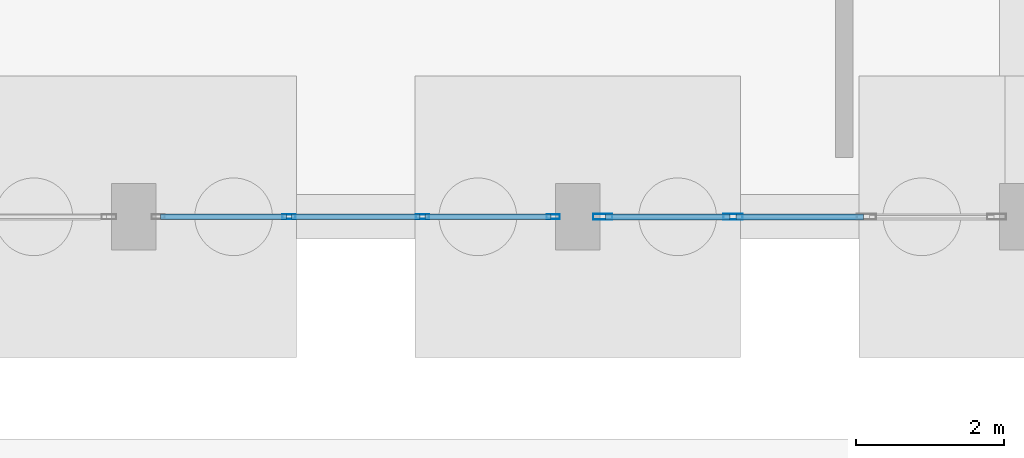
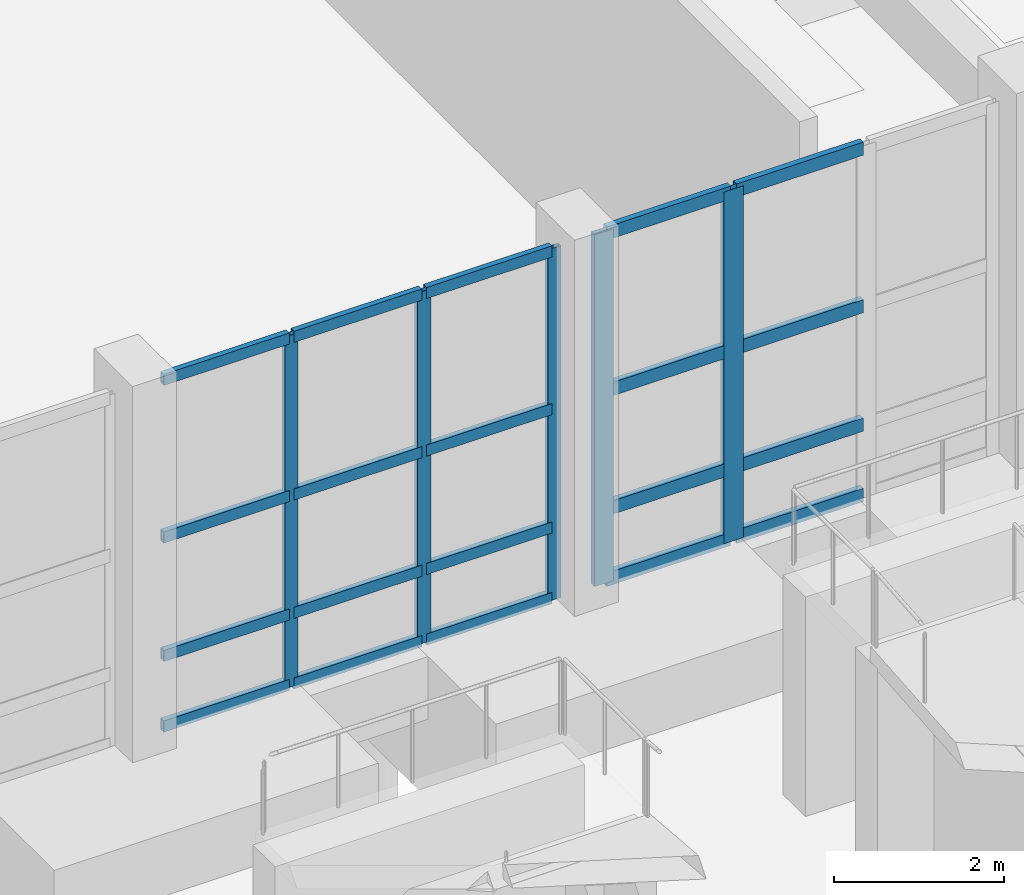
# One storey, part 22 of 69: 25 members, 2 elements without a shape of their own.
"""IFC4 building model written with IfcOpenShell, lengths in metres."""

from ifc_helpers import new_model, si_unit, direction, frame, origin, origin_2d, place, context, subcontext, project, spatial, hollow_rectangle, extrude, material, layer, layer_set, material_profile, profile_set, type_object, element, aggregate, save


model = new_model("IFC4")

# Units and contexts
model_context = context("Model", 3, precision=1e-05, world=origin(), true_north=direction((0.0, 1.0)))
body_context = subcontext(model_context, "Body", "Model", "MODEL_VIEW")
ifc_project = project(units=[si_unit("LENGTHUNIT", "METRE"), si_unit("AREAUNIT", "SQUARE_METRE"), si_unit("VOLUMEUNIT", "CUBIC_METRE"), si_unit("PLANEANGLEUNIT", "RADIAN"), si_unit("MASSUNIT", "GRAM", prefix="KILO")], contexts=[model_context])

# Site, building, storey
site_placement = place(None, origin())
site = spatial("IfcSite", under=ifc_project, at=site_placement, CompositionType="ELEMENT")
building_placement = place(site_placement, origin())
building = spatial("IfcBuilding", under=site, at=building_placement, Name="Vaelkrest Opera House", CompositionType="ELEMENT")
storey_placement = place(building_placement, frame((0.0, 0.0, -5.39990234375)))
storey = spatial("IfcBuildingStorey", under=building, at=storey_placement, Name="B1", CompositionType="ELEMENT", Elevation=-5.39990234375)

# Curtain wall, members
ifc_material = material(Name="Dark bronze anodized aluminium", Category="aluminium")
ifc_layer_1 = layer(ifc_material, 0.219970703125)
ifc_layer_set_1 = layer_set([ifc_layer_1], Name="Dark bronze anodized aluminium")
curtain_wall_type_1 = type_object("IfcCurtainWallType", Name="CW05", PredefinedType="NOTDEFINED", material=ifc_layer_set_1)
curtain_wall_1_placement = place(storey_placement, origin())
curtain_wall_1 = element("IfcCurtainWall", 1, at=curtain_wall_1_placement, inside=storey, type_object=curtain_wall_type_1, Name="Curtain wall CW-B1-085", PredefinedType="NOTDEFINED")
ifc_material_profile_1 = material_profile(ifc_material, hollow_rectangle(XDim=0.06494140625, YDim=0.179931640625, WallThickness=0.00390625, at=origin_2d()), Name="CWM65X180")
ifc_profile_set_1 = profile_set([ifc_material_profile_1], Name="Dark bronze anodized aluminium")
member_type_1 = type_object("IfcMemberType", Name="CWM01", PredefinedType="MULLION", material=ifc_profile_set_1)
member_1_placement = place(storey_placement, frame((-57.930419921875, -16.800048828125, 0.0), z_axis=(0.0, 0.0, 1.0), x_axis=(0.0, -1.0, 0.0)))
member_1 = element("IfcMember", 2, at=member_1_placement, type_object=member_type_1, Name="CW05 mullion 1", PredefinedType="MULLION", context=body_context, shape_type="SweptSolid", body=[
    extrude(hollow_rectangle(XDim=0.06494140625, YDim=0.179931640625, WallThickness=0.00390625, at=origin_2d()), origin(), (0.0, 0.0, 1.0), 5.0498046875),
])
member_2_placement = place(storey_placement, frame((-59.69921875, -16.800048828125, 0.0), z_axis=(0.0, 0.0, 1.0), x_axis=(0.0, -1.0, 0.0)))
member_2 = element("IfcMember", 3, at=member_2_placement, type_object=member_type_1, Name="CW05 mullion 2", PredefinedType="MULLION", context=body_context, shape_type="SweptSolid", body=[
    extrude(hollow_rectangle(XDim=0.06494140625, YDim=0.179931640625, WallThickness=0.00390625, at=origin_2d()), origin(), (0.0, 0.0, 1.0), 5.0498046875),
])
member_3_placement = place(storey_placement, frame((-61.500732421875, -16.800048828125, 0.0), z_axis=(0.0, 0.0, 1.0), x_axis=(0.0, -1.0, 0.0)))
member_3 = element("IfcMember", 4, at=member_3_placement, type_object=member_type_1, Name="CW05 mullion 3", PredefinedType="MULLION", context=body_context, shape_type="SweptSolid", body=[
    extrude(hollow_rectangle(XDim=0.06494140625, YDim=0.179931640625, WallThickness=0.00390625, at=origin_2d()), origin(), (0.0, 0.0, 1.0), 5.0498046875),
])

ifc_layer_2 = layer(ifc_material, 0.2099609375)
ifc_layer_set_2 = layer_set([ifc_layer_2], Name="Dark bronze anodized aluminium")
curtain_wall_type_2 = type_object("IfcCurtainWallType", Name="CW04", PredefinedType="NOTDEFINED", material=ifc_layer_set_2)
curtain_wall_2_placement = place(storey_placement, origin())
curtain_wall_2 = element("IfcCurtainWall", 5, at=curtain_wall_2_placement, inside=storey, type_object=curtain_wall_type_2, Name="Curtain wall CW-B1-084", PredefinedType="NOTDEFINED")
ifc_material_profile_2 = material_profile(ifc_material, hollow_rectangle(XDim=0.080078125, YDim=0.260009765625, WallThickness=0.0048828125, at=origin_2d()), Name="CWM80X260")
ifc_profile_set_2 = profile_set([ifc_material_profile_2], Name="Dark bronze anodized aluminium")
member_type_2 = type_object("IfcMemberType", Name="CWM04", PredefinedType="MULLION", material=ifc_profile_set_2)
member_4_placement = place(storey_placement, frame((-55.500732421875, -16.800048828125, 0.0), z_axis=(0.0, 0.0, 1.0), x_axis=(0.0, -1.0, 0.0)))
member_4 = element("IfcMember", 6, at=member_4_placement, type_object=member_type_2, Name="CW04 mullion 3", PredefinedType="MULLION", context=body_context, shape_type="SweptSolid", body=[
    extrude(hollow_rectangle(XDim=0.080078125, YDim=0.260009765625, WallThickness=0.0048828125, at=origin_2d()), origin(), (0.0, 0.0, 1.0), 5.0498046875),
])
member_5_placement = place(storey_placement, frame((-57.261962890625, -16.800048828125, 0.0), z_axis=(0.0, 0.0, 1.0), x_axis=(0.0, -1.0, 0.0)))
member_5 = element("IfcMember", 7, at=member_5_placement, type_object=member_type_2, Name="CW04 mullion 4", PredefinedType="MULLION", context=body_context, shape_type="SweptSolid", body=[
    extrude(hollow_rectangle(XDim=0.080078125, YDim=0.260009765625, WallThickness=0.0048828125, at=origin_2d()), origin(), (0.0, 0.0, 1.0), 5.0498046875),
])

# Member
ifc_material_profile_3 = material_profile(ifc_material, hollow_rectangle(XDim=0.074951171875, YDim=0.159912109375, WallThickness=0.00439453125, at=origin_2d()), Name="CWT75X160")
ifc_profile_set_3 = profile_set([ifc_material_profile_3], Name="Dark bronze anodized aluminium")
member_type_3 = type_object("IfcMemberType", Name="CWT03", PredefinedType="USERDEFINED", material=ifc_profile_set_3)
member_6_placement = place(storey_placement, frame((-57.962890625, -16.800048828125, 0.037353515625), z_axis=(-1.0, 0.0, 0.0), x_axis=(0.0, -1.0, 0.0)))
member_6 = element("IfcMember", 8, at=member_6_placement, type_object=member_type_3, Name="CW05 transom 1.1", ObjectType="TRANSOM", PredefinedType="USERDEFINED", context=body_context, shape_type="SweptSolid", body=[
    extrude(hollow_rectangle(XDim=0.074951171875, YDim=0.159912109375, WallThickness=0.00439453125, at=origin_2d()), origin(), (0.0, 0.0, 1.0), 1.703857421875),
])

member_7_placement = place(storey_placement, frame((-57.962890625, -16.800048828125, 1.0498046875), z_axis=(-1.0, 0.0, 0.0), x_axis=(0.0, -1.0, 0.0)))
member_7 = element("IfcMember", 9, at=member_7_placement, type_object=member_type_3, Name="CW05 transom 1.2", ObjectType="TRANSOM", PredefinedType="USERDEFINED", context=body_context, shape_type="SweptSolid", body=[
    extrude(hollow_rectangle(XDim=0.074951171875, YDim=0.159912109375, WallThickness=0.00439453125, at=origin_2d()), origin(), (0.0, 0.0, 1.0), 1.703857421875),
])

member_8_placement = place(storey_placement, frame((-57.962890625, -16.800048828125, 2.75), z_axis=(-1.0, 0.0, 0.0), x_axis=(0.0, -1.0, 0.0)))
member_8 = element("IfcMember", 10, at=member_8_placement, type_object=member_type_3, Name="CW05 transom 1.3", ObjectType="TRANSOM", PredefinedType="USERDEFINED", context=body_context, shape_type="SweptSolid", body=[
    extrude(hollow_rectangle(XDim=0.074951171875, YDim=0.159912109375, WallThickness=0.00439453125, at=origin_2d()), origin(), (0.0, 0.0, 1.0), 1.703857421875),
])

member_9_placement = place(storey_placement, frame((-57.962890625, -16.800048828125, 5.012451171875), z_axis=(-1.0, 0.0, 0.0), x_axis=(0.0, -1.0, 0.0)))
member_9 = element("IfcMember", 11, at=member_9_placement, type_object=member_type_3, Name="CW05 transom 1.4", ObjectType="TRANSOM", PredefinedType="USERDEFINED", context=body_context, shape_type="SweptSolid", body=[
    extrude(hollow_rectangle(XDim=0.074951171875, YDim=0.159912109375, WallThickness=0.00439453125, at=origin_2d()), origin(), (0.0, 0.0, 1.0), 1.703857421875),
])

member_10_placement = place(storey_placement, frame((-59.73193359375, -16.800048828125, 0.037353515625), z_axis=(-1.0, 0.0, 0.0), x_axis=(0.0, -1.0, 0.0)))
member_10 = element("IfcMember", 12, at=member_10_placement, type_object=member_type_3, Name="CW05 transom 2.1", ObjectType="TRANSOM", PredefinedType="USERDEFINED", context=body_context, shape_type="SweptSolid", body=[
    extrude(hollow_rectangle(XDim=0.074951171875, YDim=0.159912109375, WallThickness=0.00439453125, at=origin_2d()), origin(), (0.0, 0.0, 1.0), 1.736328125),
])

member_11_placement = place(storey_placement, frame((-59.73193359375, -16.800048828125, 1.0498046875), z_axis=(-1.0, 0.0, 0.0), x_axis=(0.0, -1.0, 0.0)))
member_11 = element("IfcMember", 13, at=member_11_placement, type_object=member_type_3, Name="CW05 transom 2.2", ObjectType="TRANSOM", PredefinedType="USERDEFINED", context=body_context, shape_type="SweptSolid", body=[
    extrude(hollow_rectangle(XDim=0.074951171875, YDim=0.159912109375, WallThickness=0.00439453125, at=origin_2d()), origin(), (0.0, 0.0, 1.0), 1.736328125),
])

member_12_placement = place(storey_placement, frame((-59.73193359375, -16.800048828125, 2.75), z_axis=(-1.0, 0.0, 0.0), x_axis=(0.0, -1.0, 0.0)))
member_12 = element("IfcMember", 14, at=member_12_placement, type_object=member_type_3, Name="CW05 transom 2.3", ObjectType="TRANSOM", PredefinedType="USERDEFINED", context=body_context, shape_type="SweptSolid", body=[
    extrude(hollow_rectangle(XDim=0.074951171875, YDim=0.159912109375, WallThickness=0.00439453125, at=origin_2d()), origin(), (0.0, 0.0, 1.0), 1.736328125),
])

member_13_placement = place(storey_placement, frame((-59.73193359375, -16.800048828125, 5.012451171875), z_axis=(-1.0, 0.0, 0.0), x_axis=(0.0, -1.0, 0.0)))
member_13 = element("IfcMember", 15, at=member_13_placement, type_object=member_type_3, Name="CW05 transom 2.4", ObjectType="TRANSOM", PredefinedType="USERDEFINED", context=body_context, shape_type="SweptSolid", body=[
    extrude(hollow_rectangle(XDim=0.074951171875, YDim=0.159912109375, WallThickness=0.00439453125, at=origin_2d()), origin(), (0.0, 0.0, 1.0), 1.736328125),
])

member_14_placement = place(storey_placement, frame((-61.533203125, -16.800048828125, 0.037353515625), z_axis=(-1.0, 0.0, 0.0), x_axis=(0.0, -1.0, 0.0)))
member_14 = element("IfcMember", 16, at=member_14_placement, type_object=member_type_3, Name="CW05 transom 3.1", ObjectType="TRANSOM", PredefinedType="USERDEFINED", context=body_context, shape_type="SweptSolid", body=[
    extrude(hollow_rectangle(XDim=0.074951171875, YDim=0.159912109375, WallThickness=0.00439453125, at=origin_2d()), origin(), (0.0, 0.0, 1.0), 1.703857421875),
])

member_15_placement = place(storey_placement, frame((-61.533203125, -16.800048828125, 1.0498046875), z_axis=(-1.0, 0.0, 0.0), x_axis=(0.0, -1.0, 0.0)))
member_15 = element("IfcMember", 17, at=member_15_placement, type_object=member_type_3, Name="CW05 transom 3.2", ObjectType="TRANSOM", PredefinedType="USERDEFINED", context=body_context, shape_type="SweptSolid", body=[
    extrude(hollow_rectangle(XDim=0.074951171875, YDim=0.159912109375, WallThickness=0.00439453125, at=origin_2d()), origin(), (0.0, 0.0, 1.0), 1.703857421875),
])

member_16_placement = place(storey_placement, frame((-61.533203125, -16.800048828125, 2.75), z_axis=(-1.0, 0.0, 0.0), x_axis=(0.0, -1.0, 0.0)))
member_16 = element("IfcMember", 18, at=member_16_placement, type_object=member_type_3, Name="CW05 transom 3.3", ObjectType="TRANSOM", PredefinedType="USERDEFINED", context=body_context, shape_type="SweptSolid", body=[
    extrude(hollow_rectangle(XDim=0.074951171875, YDim=0.159912109375, WallThickness=0.00439453125, at=origin_2d()), origin(), (0.0, 0.0, 1.0), 1.703857421875),
])

member_17_placement = place(storey_placement, frame((-61.533203125, -16.800048828125, 5.012451171875), z_axis=(-1.0, 0.0, 0.0), x_axis=(0.0, -1.0, 0.0)))
member_17 = element("IfcMember", 19, at=member_17_placement, type_object=member_type_3, Name="CW05 transom 3.4", ObjectType="TRANSOM", PredefinedType="USERDEFINED", context=body_context, shape_type="SweptSolid", body=[
    extrude(hollow_rectangle(XDim=0.074951171875, YDim=0.159912109375, WallThickness=0.00439453125, at=origin_2d()), origin(), (0.0, 0.0, 1.0), 1.703857421875),
])

aggregate(curtain_wall_1, [member_1, member_2, member_3, member_6, member_7, member_8, member_9, member_10, member_11, member_12, member_13, member_14, member_15, member_16, member_17])

ifc_material_profile_4 = material_profile(ifc_material, hollow_rectangle(XDim=0.080078125, YDim=0.18994140625, WallThickness=0.0048828125, at=origin_2d()), Name="CWT80X190")
ifc_profile_set_4 = profile_set([ifc_material_profile_4], Name="Dark bronze anodized aluminium")
member_type_4 = type_object("IfcMemberType", Name="CWT04", PredefinedType="USERDEFINED", material=ifc_profile_set_4)
member_18_placement = place(storey_placement, frame((-53.7392578125, -16.800048828125, 0.039794921875), z_axis=(-1.0, 0.0, 0.0), x_axis=(0.0, -1.0, 0.0)))
member_18 = element("IfcMember", 20, at=member_18_placement, type_object=member_type_4, Name="CW04 transom 2.1", ObjectType="TRANSOM", PredefinedType="USERDEFINED", context=body_context, shape_type="SweptSolid", body=[
    extrude(hollow_rectangle(XDim=0.080078125, YDim=0.18994140625, WallThickness=0.0048828125, at=origin_2d()), origin(), (0.0, 0.0, 1.0), 1.721435546875),
])

member_19_placement = place(storey_placement, frame((-53.7392578125, -16.800048828125, 1.0498046875), z_axis=(-1.0, 0.0, 0.0), x_axis=(0.0, -1.0, 0.0)))
member_19 = element("IfcMember", 21, at=member_19_placement, type_object=member_type_4, Name="CW04 transom 2.2", ObjectType="TRANSOM", PredefinedType="USERDEFINED", context=body_context, shape_type="SweptSolid", body=[
    extrude(hollow_rectangle(XDim=0.080078125, YDim=0.18994140625, WallThickness=0.0048828125, at=origin_2d()), origin(), (0.0, 0.0, 1.0), 1.721435546875),
])

member_20_placement = place(storey_placement, frame((-53.7392578125, -16.800048828125, 2.75), z_axis=(-1.0, 0.0, 0.0), x_axis=(0.0, -1.0, 0.0)))
member_20 = element("IfcMember", 22, at=member_20_placement, type_object=member_type_4, Name="CW04 transom 2.3", ObjectType="TRANSOM", PredefinedType="USERDEFINED", context=body_context, shape_type="SweptSolid", body=[
    extrude(hollow_rectangle(XDim=0.080078125, YDim=0.18994140625, WallThickness=0.0048828125, at=origin_2d()), origin(), (0.0, 0.0, 1.0), 1.721435546875),
])

member_21_placement = place(storey_placement, frame((-53.7392578125, -16.800048828125, 5.010009765625), z_axis=(-1.0, 0.0, 0.0), x_axis=(0.0, -1.0, 0.0)))
member_21 = element("IfcMember", 23, at=member_21_placement, type_object=member_type_4, Name="CW04 transom 2.4", ObjectType="TRANSOM", PredefinedType="USERDEFINED", context=body_context, shape_type="SweptSolid", body=[
    extrude(hollow_rectangle(XDim=0.080078125, YDim=0.18994140625, WallThickness=0.0048828125, at=origin_2d()), origin(), (0.0, 0.0, 1.0), 1.721435546875),
])

member_22_placement = place(storey_placement, frame((-55.540771484375, -16.800048828125, 0.039794921875), z_axis=(-1.0, 0.0, 0.0), x_axis=(0.0, -1.0, 0.0)))
member_22 = element("IfcMember", 24, at=member_22_placement, type_object=member_type_4, Name="CW04 transom 3.1", ObjectType="TRANSOM", PredefinedType="USERDEFINED", context=body_context, shape_type="SweptSolid", body=[
    extrude(hollow_rectangle(XDim=0.080078125, YDim=0.18994140625, WallThickness=0.0048828125, at=origin_2d()), origin(), (0.0, 0.0, 1.0), 1.68115234375),
])

member_23_placement = place(storey_placement, frame((-55.540771484375, -16.800048828125, 1.0498046875), z_axis=(-1.0, 0.0, 0.0), x_axis=(0.0, -1.0, 0.0)))
member_23 = element("IfcMember", 25, at=member_23_placement, type_object=member_type_4, Name="CW04 transom 3.2", ObjectType="TRANSOM", PredefinedType="USERDEFINED", context=body_context, shape_type="SweptSolid", body=[
    extrude(hollow_rectangle(XDim=0.080078125, YDim=0.18994140625, WallThickness=0.0048828125, at=origin_2d()), origin(), (0.0, 0.0, 1.0), 1.68115234375),
])

member_24_placement = place(storey_placement, frame((-55.540771484375, -16.800048828125, 2.75), z_axis=(-1.0, 0.0, 0.0), x_axis=(0.0, -1.0, 0.0)))
member_24 = element("IfcMember", 26, at=member_24_placement, type_object=member_type_4, Name="CW04 transom 3.3", ObjectType="TRANSOM", PredefinedType="USERDEFINED", context=body_context, shape_type="SweptSolid", body=[
    extrude(hollow_rectangle(XDim=0.080078125, YDim=0.18994140625, WallThickness=0.0048828125, at=origin_2d()), origin(), (0.0, 0.0, 1.0), 1.68115234375),
])

member_25_placement = place(storey_placement, frame((-55.540771484375, -16.800048828125, 5.010009765625), z_axis=(-1.0, 0.0, 0.0), x_axis=(0.0, -1.0, 0.0)))
member_25 = element("IfcMember", 27, at=member_25_placement, type_object=member_type_4, Name="CW04 transom 3.4", ObjectType="TRANSOM", PredefinedType="USERDEFINED", context=body_context, shape_type="SweptSolid", body=[
    extrude(hollow_rectangle(XDim=0.080078125, YDim=0.18994140625, WallThickness=0.0048828125, at=origin_2d()), origin(), (0.0, 0.0, 1.0), 1.68115234375),
])

aggregate(curtain_wall_2, [member_4, member_5, member_18, member_19, member_20, member_21, member_22, member_23, member_24, member_25])

save(model, "model.ifc")
